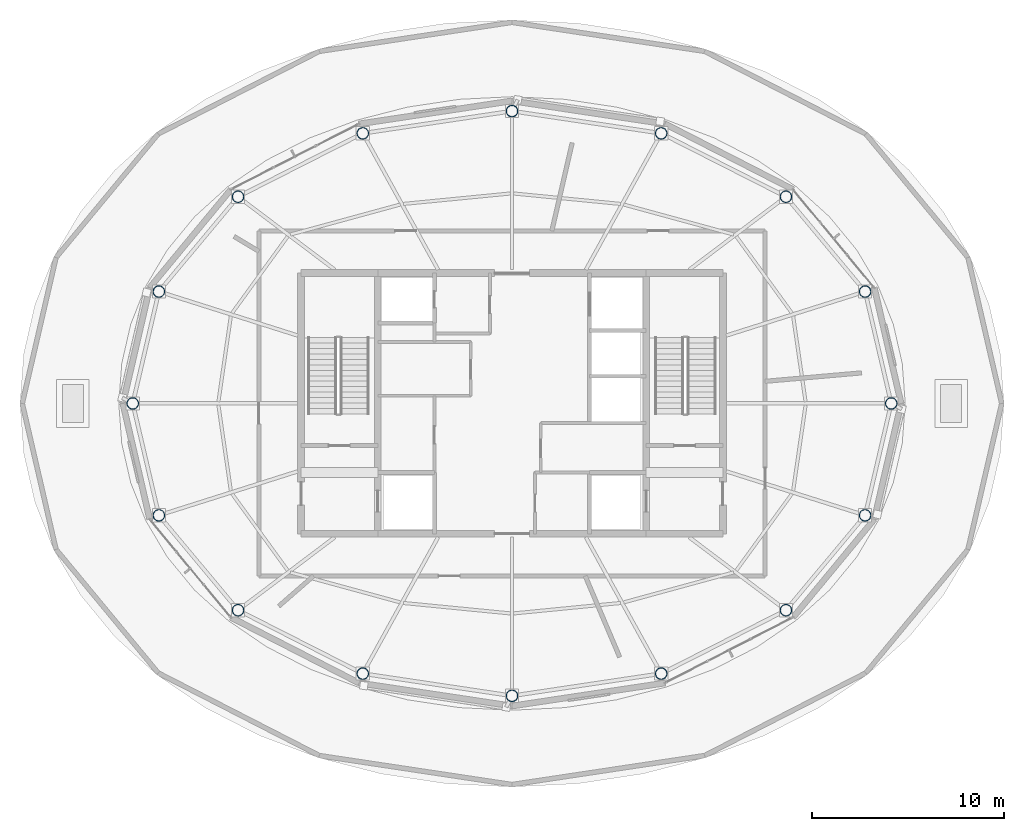
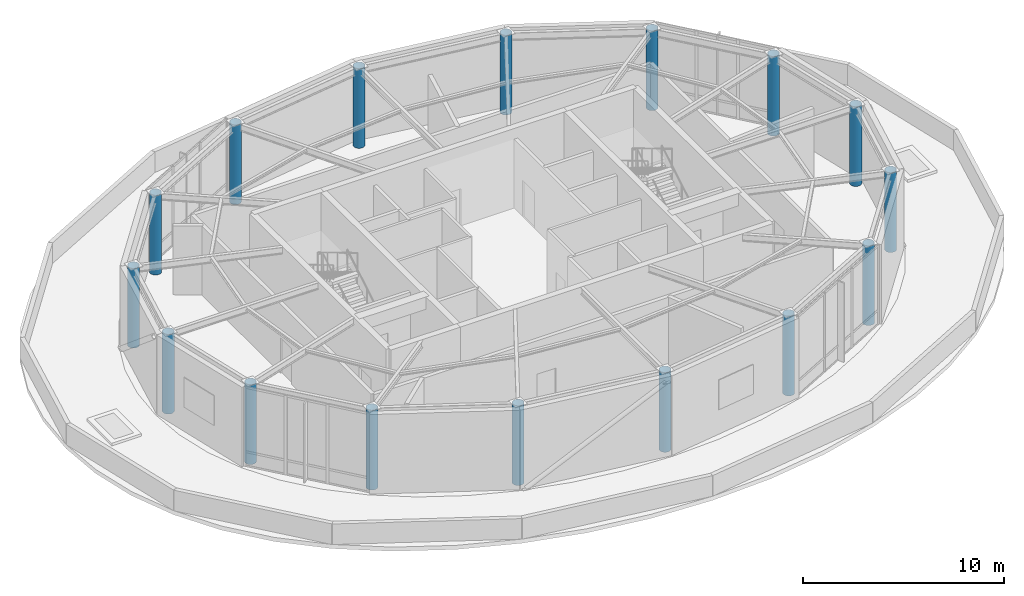
# One storey, part 1 of 15: 16 columns.
"""IFC4 building model written with IfcOpenShell, lengths in metres."""

from ifc_helpers import new_model, si_unit, direction, frame, origin, origin_2d, place, context, subcontext, project, spatial, hollow_circle, extrude, material, material_profile, profile_set, type_object, element, save


model = new_model("IFC4")

# Units and contexts
model_context = context("Model", 3, precision=1e-05, world=origin(), true_north=direction((0.0, 1.0)))
body_context = subcontext(model_context, "Body", "Model", "MODEL_VIEW")
ifc_project = project(units=[si_unit("LENGTHUNIT", "METRE"), si_unit("AREAUNIT", "SQUARE_METRE"), si_unit("VOLUMEUNIT", "CUBIC_METRE"), si_unit("PLANEANGLEUNIT", "RADIAN"), si_unit("MASSUNIT", "GRAM", prefix="KILO")], contexts=[model_context])

# Site, building, storey
site_placement = place(None, origin())
site = spatial("IfcSite", under=ifc_project, at=site_placement, CompositionType="ELEMENT")
building_placement = place(site_placement, origin())
building = spatial("IfcBuilding", under=site, at=building_placement, Name="Sarneth Arch Tower", CompositionType="ELEMENT")
storey_placement = place(building_placement, frame((0.0, 0.0, 316.5)))
storey = spatial("IfcBuildingStorey", under=building, at=storey_placement, Name="L82", CompositionType="ELEMENT", Elevation=316.5)

# Columns
ifc_material = material(Name="Steel S355", Category="steel")
ifc_material_profile = material_profile(ifc_material, hollow_circle(Radius=0.304931640625, WallThickness=0.02001953125, at=origin_2d()), Name="CHS610x20")
ifc_profile_set = profile_set([ifc_material_profile], Name="Steel S355")
column_type = type_object("IfcColumnType", Name="COL-DRUM-610", PredefinedType="COLUMN", material=ifc_profile_set)
for number, where, z_axis, x_axis, name in (
    (1, (67.7802734375, 42.0, 0.0), (0.0, 0.0, 1.0), (1.0, 0.0, 0.0), "L82 Perimeter mega-column M01"),
    (2, (66.41748046875, 47.8359375, 0.0), (0.0, 0.0, 1.0), (1.0, 0.0, 0.0), "L82 Perimeter mega-column M02"),
    (3, (62.288818359375, 52.783447265625, 0.0), (0.0, 0.0, 1.0), (1.0, 0.0, 0.0), "L82 Perimeter mega-column M03"),
    (4, (55.782958984375, 56.089111328125, 0.0), (0.0, 0.0, 1.0), (1.0, 0.0, 0.0), "L82 Perimeter mega-column M04"),
    (5, (48.0, 57.25, 0.0), (0.0, 0.0, 1.0), (1.0, 0.0, 0.0), "L82 Perimeter mega-column M05"),
    (6, (40.217041015625, 56.089111328125, 0.0), (0.0, 0.0, 1.0), (1.0, 0.0, 0.0), "L82 Perimeter mega-column M06"),
    (7, (33.711181640625, 52.783447265625, 0.0), (0.0, 0.0, 1.0), (1.0, 0.0, 0.0), "L82 Perimeter mega-column M07"),
    (8, (29.58251953125, 47.8359375, 0.0), (0.0, 0.0, 1.0), (1.0, 0.0, 0.0), "L82 Perimeter mega-column M08"),
    (9, (28.2197265625, 42.0, 0.0), (0.0, 0.0, 1.0), (1.0, 0.0, 0.0), "L82 Perimeter mega-column M09"),
    (10, (29.58251953125, 36.1640625, 0.0), (0.0, 0.0, 1.0), (1.0, 0.0, 0.0), "L82 Perimeter mega-column M10"),
    (11, (33.711181640625, 31.216552734375, 0.0), (0.0, 0.0, 1.0), (1.0, 0.0, 0.0), "L82 Perimeter mega-column M11"),
    (12, (40.217041015625, 27.910888671875, 0.0), (0.0, 0.0, 1.0), (1.0, 0.0, 0.0), "L82 Perimeter mega-column M12"),
    (13, (48.0, 26.75, 0.0), (0.0, 0.0, 1.0), (1.0, 0.0, 0.0), "L82 Perimeter mega-column M13"),
    (14, (55.782958984375, 27.910888671875, 0.0), (0.0, 0.0, 1.0), (1.0, 0.0, 0.0), "L82 Perimeter mega-column M14"),
    (15, (62.288818359375, 31.216552734375, 0.0), (0.0, 0.0, 1.0), (1.0, 0.0, 0.0), "L82 Perimeter mega-column M15"),
    (16, (66.41748046875, 36.1640625, 0.0), (0.0, 0.0, 1.0), (1.0, 0.0, 0.0), "L82 Perimeter mega-column M16"),
):
    element("IfcColumn", number, at=place(storey_placement, frame(where, z_axis=z_axis, x_axis=x_axis)), inside=storey, type_object=column_type, Name=name, PredefinedType="COLUMN", context=body_context, shape_type="SweptSolid", body=[
        extrude(hollow_circle(Radius=0.304931640625, WallThickness=0.02001953125, at=origin_2d()), origin(), (0.0, 0.0, 1.0), 4.840087890625),
    ])

save(model, "model.ifc")
